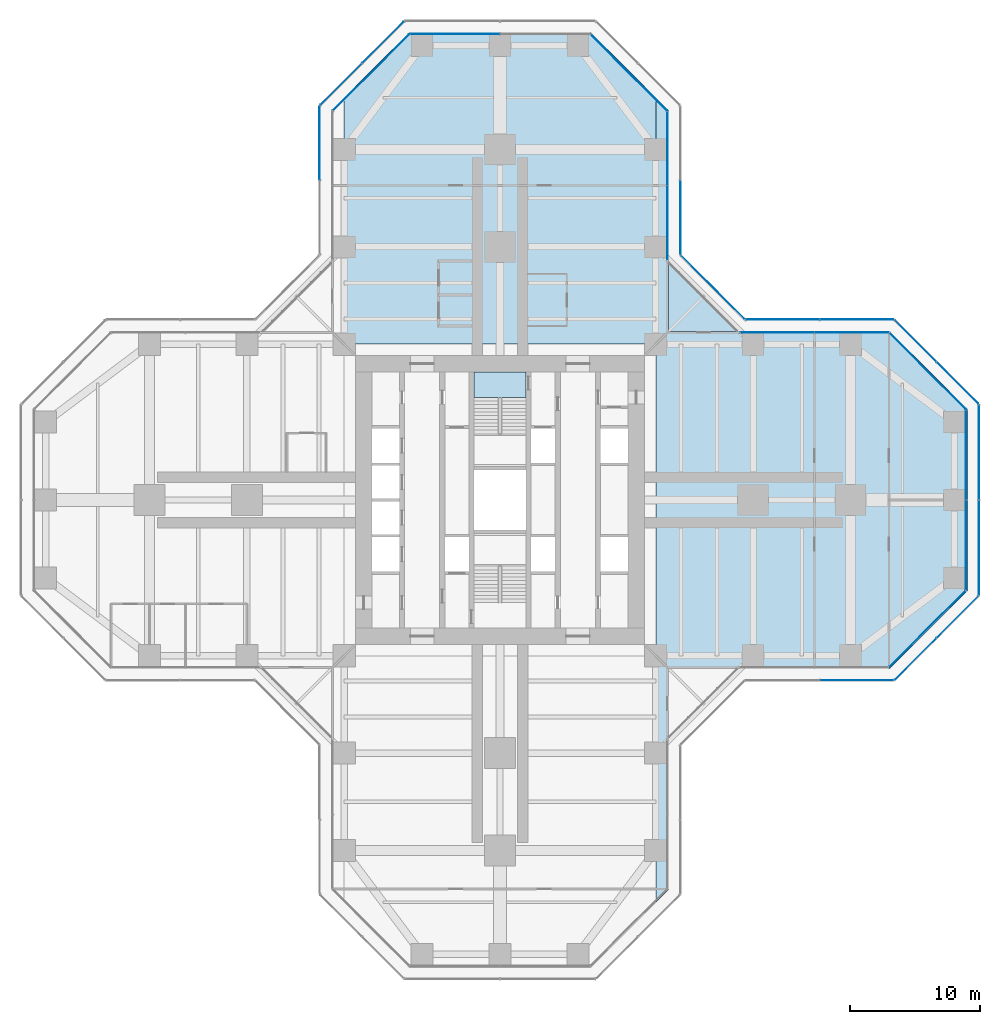
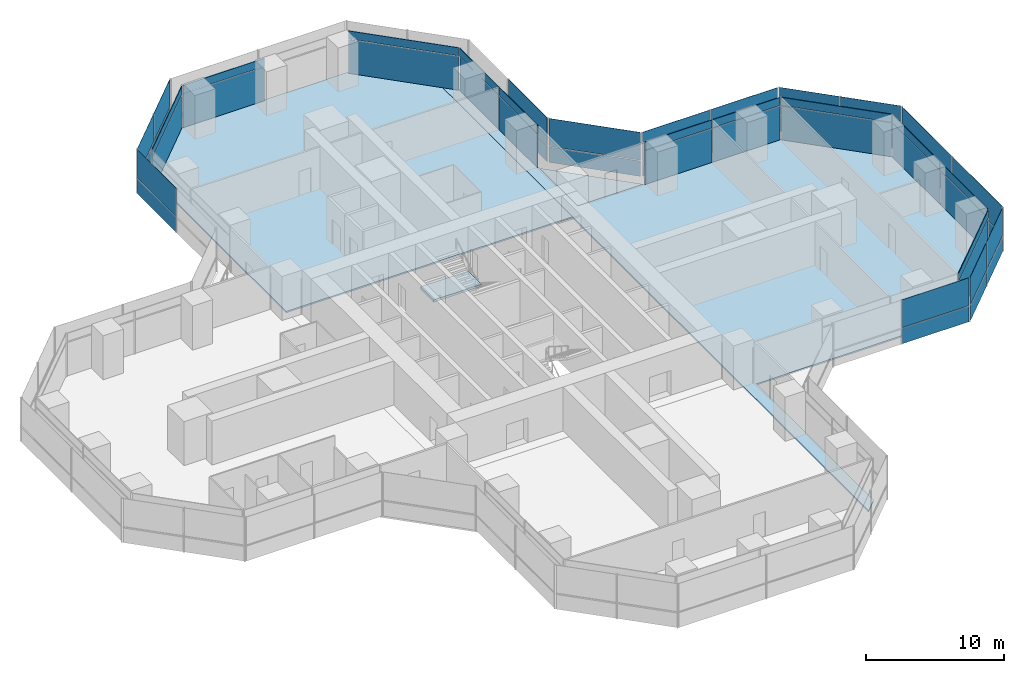
# One storey, part 16 of 22: 50 plates, 4 slabs, 18 elements without a shape of their own.
"""IFC4 building model written with IfcOpenShell, lengths in metres."""

from ifc_helpers import new_model, si_unit, direction, frame, origin, origin_2d, place, context, subcontext, project, spatial, polyline, rectangle, outline, extrude, material, layer, layer_set, type_object, element, aggregate, save


model = new_model("IFC4")

# Units and contexts
model_context = context("Model", 3, precision=1e-05, world=origin(), true_north=direction((0.0, 1.0)))
body_context = subcontext(model_context, "Body", "Model", "MODEL_VIEW")
ifc_project = project(units=[si_unit("LENGTHUNIT", "METRE"), si_unit("AREAUNIT", "SQUARE_METRE"), si_unit("VOLUMEUNIT", "CUBIC_METRE"), si_unit("PLANEANGLEUNIT", "RADIAN"), si_unit("MASSUNIT", "GRAM", prefix="KILO")], contexts=[model_context])

# Site, building, storey
site_placement = place(None, origin())
site = spatial("IfcSite", under=ifc_project, at=site_placement, CompositionType="ELEMENT")
building_placement = place(site_placement, origin())
building = spatial("IfcBuilding", under=site, at=building_placement, Name="Mizan Broadcast Tower", CompositionType="ELEMENT")
storey_placement = place(building_placement, frame((0.0, 0.0, 70.800048828125)))
storey = spatial("IfcBuildingStorey", under=building, at=storey_placement, Name="L14", CompositionType="ELEMENT", Elevation=70.800048828125)

# Slabs
ifc_material_1 = material(Name="Concrete C32/40", Category="concrete")
ifc_layer_1 = layer(ifc_material_1, 0.1298828125)
ifc_layer_set_1 = layer_set([ifc_layer_1], Name="Concrete C32/40")
slab_type_1 = type_object("IfcSlabType", Name="COMPOSITE DECK SLAB 130", PredefinedType="FLOOR", material=ifc_layer_set_1)
slab_1_placement = place(storey_placement, frame((0.0, 0.0, -0.130126953125)))
element("IfcSlab", 1, at=slab_1_placement, inside=storey, type_object=slab_type_1, Name="Floor slab L14 east arm", PredefinedType="FLOOR", context=body_context, shape_type="SweptSolid", body=[
    extrude(outline(polyline([(12.0, -31.0), (13.0, -30.0), (13.0, -13.0), (30.0, -13.0), (36.0, -7.0), (36.0, 7.0), (30.0, 13.0), (13.0, 13.0), (13.0, 30.0), (12.0, 31.0), (12.0, -31.0)])), origin(), (0.0, 0.0, 1.0), 0.130126953125),
])
slab_2_placement = place(storey_placement, frame((0.0, 0.0, -0.130126953125)))
element("IfcSlab", 2, at=slab_2_placement, inside=storey, type_object=slab_type_1, Name="Floor slab L14 north arm", PredefinedType="FLOOR", context=body_context, shape_type="SweptSolid", body=[
    extrude(outline(polyline([(-7.0, 36.0), (-12.0, 31.0), (-12.0, 12.0), (12.0, 12.0), (12.0, 31.0), (7.0, 36.0), (-7.0, 36.0)])), origin(), (0.0, 0.0, 1.0), 0.130126953125),
])

# Curtain wall, plate
ifc_material_2 = material(Name="Aluminium framed glazing", Category="aluminium")
curtain_wall_type_1 = type_object("IfcCurtainWallType", Name="INNER SKIN LOW ZONE", PredefinedType="USERDEFINED", material=ifc_material_2)
curtain_wall_1_placement = place(storey_placement, origin())
curtain_wall_1 = element("IfcCurtainWall", 3, at=curtain_wall_1_placement, inside=storey, type_object=curtain_wall_type_1, Name="Inner skin low zone L14 E chamfer", ObjectType="INNER SKIN LOW ZONE", PredefinedType="USERDEFINED")
ifc_material_3 = material(Name="Double glazing, clear low-e", Category="glass")
ifc_layer_2 = layer(ifc_material_3, 0.028076171875)
ifc_layer_set_2 = layer_set([ifc_layer_2], Name="Double glazing, clear low-e")
plate_type_1 = type_object("IfcPlateType", Name="INNER SKIN GLAZING UNIT", PredefinedType="CURTAIN_PANEL", material=ifc_layer_set_2)
plate_1_placement = place(storey_placement, frame((32.92919921875, -9.92919921875, 0.0), z_axis=(0.0, 0.0, 1.0), x_axis=(0.707106781187, 0.707106781187, 0.0)))
plate_1 = element("IfcPlate", 4, at=plate_1_placement, type_object=plate_type_1, Name="Inner skin low zone L14 E chamfer panel 1.1", PredefinedType="CURTAIN_PANEL", context=body_context, shape_type="SweptSolid", body=[
    extrude(rectangle(XDim=8.282470703125, YDim=0.028076171875, at=origin_2d()), origin(), (0.0, 0.0, 1.0), 3.0),
])

# Curtain wall, plates
curtain_wall_2_placement = place(storey_placement, origin())
curtain_wall_2 = element("IfcCurtainWall", 5, at=curtain_wall_2_placement, inside=storey, type_object=curtain_wall_type_1, Name="Inner skin low zone L14 E end", ObjectType="INNER SKIN LOW ZONE", PredefinedType="USERDEFINED")
plate_2_placement = place(storey_placement, frame((35.89990234375, -3.46435546875, 0.0), z_axis=(0.0, 0.0, 1.0), x_axis=(0.0, 1.0, 0.0)))
plate_2 = element("IfcPlate", 6, at=plate_2_placement, type_object=plate_type_1, Name="Inner skin low zone L14 E end panel 1.1", PredefinedType="CURTAIN_PANEL", context=body_context, shape_type="SweptSolid", body=[
    extrude(rectangle(XDim=6.86865234375, YDim=0.028076171875, at=origin_2d()), origin(), (0.0, 0.0, 1.0), 3.0),
])
plate_3_placement = place(storey_placement, frame((35.89990234375, 3.46435546875, 0.0), z_axis=(0.0, 0.0, 1.0), x_axis=(0.0, 1.0, 0.0)))
plate_3 = element("IfcPlate", 7, at=plate_3_placement, type_object=plate_type_1, Name="Inner skin low zone L14 E end panel 2.1", PredefinedType="CURTAIN_PANEL", context=body_context, shape_type="SweptSolid", body=[
    extrude(rectangle(XDim=6.86865234375, YDim=0.028076171875, at=origin_2d()), origin(), (0.0, 0.0, 1.0), 3.0),
])

# Curtain wall, plate
curtain_wall_3_placement = place(storey_placement, origin())
curtain_wall_3 = element("IfcCurtainWall", 8, at=curtain_wall_3_placement, inside=storey, type_object=curtain_wall_type_1, Name="Inner skin low zone L14 E chamfer", ObjectType="INNER SKIN LOW ZONE", PredefinedType="USERDEFINED")
plate_4_placement = place(storey_placement, frame((32.92919921875, 9.92919921875, 0.0), z_axis=(0.0, 0.0, 1.0), x_axis=(-0.707106781187, 0.707106781187, 0.0)))
plate_4 = element("IfcPlate", 9, at=plate_4_placement, type_object=plate_type_1, Name="Inner skin low zone L14 E chamfer panel 1.1", PredefinedType="CURTAIN_PANEL", context=body_context, shape_type="SweptSolid", body=[
    extrude(rectangle(XDim=8.282470703125, YDim=0.028076171875, at=origin_2d()), origin(), (0.0, 0.0, 1.0), 3.0),
])

# Curtain wall, plates
curtain_wall_4_placement = place(storey_placement, origin())
curtain_wall_4 = element("IfcCurtainWall", 10, at=curtain_wall_4_placement, inside=storey, type_object=curtain_wall_type_1, Name="Inner skin low zone L14 E side", ObjectType="INNER SKIN LOW ZONE", PredefinedType="USERDEFINED")
plate_5_placement = place(storey_placement, frame((27.078857421875, 12.89990234375, 0.0), z_axis=(0.0, 0.0, 1.0), x_axis=(-1.0, 0.0, 0.0)))
plate_5 = element("IfcPlate", 11, at=plate_5_placement, type_object=plate_type_1, Name="Inner skin low zone L14 E side panel 1.1", PredefinedType="CURTAIN_PANEL", context=body_context, shape_type="SweptSolid", body=[
    extrude(rectangle(XDim=5.639404296875, YDim=0.028076171875, at=origin_2d()), origin(), (0.0, 0.0, 1.0), 3.0),
])
plate_6_placement = place(storey_placement, frame((21.379638671875, 12.89990234375, 0.0), z_axis=(0.0, 0.0, 1.0), x_axis=(-1.0, 0.0, 0.0)))
plate_6 = element("IfcPlate", 12, at=plate_6_placement, type_object=plate_type_1, Name="Inner skin low zone L14 E side panel 2.1", PredefinedType="CURTAIN_PANEL", context=body_context, shape_type="SweptSolid", body=[
    extrude(rectangle(XDim=5.639404296875, YDim=0.028076171875, at=origin_2d()), origin(), (0.0, 0.0, 1.0), 3.0),
])

curtain_wall_5_placement = place(storey_placement, origin())
curtain_wall_5 = element("IfcCurtainWall", 13, at=curtain_wall_5_placement, inside=storey, type_object=curtain_wall_type_1, Name="Inner skin low zone L14 N side", ObjectType="INNER SKIN LOW ZONE", PredefinedType="USERDEFINED")
plate_7_placement = place(storey_placement, frame((12.89990234375, 21.379638671875, 0.0), z_axis=(0.0, 0.0, 1.0), x_axis=(0.0, 1.0, 0.0)))
plate_7 = element("IfcPlate", 14, at=plate_7_placement, type_object=plate_type_1, Name="Inner skin low zone L14 N side panel 1.1", PredefinedType="CURTAIN_PANEL", context=body_context, shape_type="SweptSolid", body=[
    extrude(rectangle(XDim=5.639404296875, YDim=0.028076171875, at=origin_2d()), origin(), (0.0, 0.0, 1.0), 3.0),
])
plate_8_placement = place(storey_placement, frame((12.89990234375, 27.078857421875, 0.0), z_axis=(0.0, 0.0, 1.0), x_axis=(0.0, 1.0, 0.0)))
plate_8 = element("IfcPlate", 15, at=plate_8_placement, type_object=plate_type_1, Name="Inner skin low zone L14 N side panel 2.1", PredefinedType="CURTAIN_PANEL", context=body_context, shape_type="SweptSolid", body=[
    extrude(rectangle(XDim=5.639404296875, YDim=0.028076171875, at=origin_2d()), origin(), (0.0, 0.0, 1.0), 3.0),
])

# Curtain wall, plate
curtain_wall_6_placement = place(storey_placement, origin())
curtain_wall_6 = element("IfcCurtainWall", 16, at=curtain_wall_6_placement, inside=storey, type_object=curtain_wall_type_1, Name="Inner skin low zone L14 N chamfer", ObjectType="INNER SKIN LOW ZONE", PredefinedType="USERDEFINED")
plate_9_placement = place(storey_placement, frame((9.92919921875, 32.92919921875, 0.0), z_axis=(0.0, 0.0, 1.0), x_axis=(-0.707106781187, 0.707106781187, 0.0)))
plate_9 = element("IfcPlate", 17, at=plate_9_placement, type_object=plate_type_1, Name="Inner skin low zone L14 N chamfer panel 1.1", PredefinedType="CURTAIN_PANEL", context=body_context, shape_type="SweptSolid", body=[
    extrude(rectangle(XDim=8.282470703125, YDim=0.028076171875, at=origin_2d()), origin(), (0.0, 0.0, 1.0), 3.0),
])

curtain_wall_7_placement = place(storey_placement, origin())
curtain_wall_7 = element("IfcCurtainWall", 18, at=curtain_wall_7_placement, inside=storey, type_object=curtain_wall_type_1, Name="Inner skin low zone L14 N end", ObjectType="INNER SKIN LOW ZONE", PredefinedType="USERDEFINED")
plate_10_placement = place(storey_placement, frame((-3.46435546875, 35.89990234375, 0.0), z_axis=(0.0, 0.0, 1.0), x_axis=(-1.0, 0.0, 0.0)))
plate_10 = element("IfcPlate", 19, at=plate_10_placement, type_object=plate_type_1, Name="Inner skin low zone L14 N end panel 2.1", PredefinedType="CURTAIN_PANEL", context=body_context, shape_type="SweptSolid", body=[
    extrude(rectangle(XDim=6.86865234375, YDim=0.028076171875, at=origin_2d()), origin(), (0.0, 0.0, 1.0), 3.0),
])

curtain_wall_8_placement = place(storey_placement, origin())
curtain_wall_8 = element("IfcCurtainWall", 20, at=curtain_wall_8_placement, inside=storey, type_object=curtain_wall_type_1, Name="Inner skin low zone L14 N chamfer", ObjectType="INNER SKIN LOW ZONE", PredefinedType="USERDEFINED")
plate_11_placement = place(storey_placement, frame((-9.92919921875, 32.92919921875, 0.0), z_axis=(0.0, 0.0, 1.0), x_axis=(-0.707106781187, -0.707106781187, 0.0)))
plate_11 = element("IfcPlate", 21, at=plate_11_placement, type_object=plate_type_1, Name="Inner skin low zone L14 N chamfer panel 1.1", PredefinedType="CURTAIN_PANEL", context=body_context, shape_type="SweptSolid", body=[
    extrude(rectangle(XDim=8.282470703125, YDim=0.028076171875, at=origin_2d()), origin(), (0.0, 0.0, 1.0), 3.0),
])

# Plate
ifc_material_4 = material(Name="Insulated aluminium spandrel panel, pale anodised", Category="aluminium")
ifc_layer_3 = layer(ifc_material_4, 0.050048828125)
ifc_layer_set_3 = layer_set([ifc_layer_3], Name="Insulated aluminium spandrel panel, pale anodised")
plate_type_2 = type_object("IfcPlateType", Name="INNER SKIN SPANDREL PANEL", PredefinedType="CURTAIN_PANEL", material=ifc_layer_set_3)
plate_12_placement = place(storey_placement, frame((32.92919921875, -9.92919921875, 3.06005859375), z_axis=(0.0, 0.0, 1.0), x_axis=(0.707106781187, 0.707106781187, 0.0)))
plate_12 = element("IfcPlate", 22, at=plate_12_placement, type_object=plate_type_2, Name="Inner skin low zone L14 E chamfer panel 1.2", PredefinedType="CURTAIN_PANEL", context=body_context, shape_type="SweptSolid", body=[
    extrude(rectangle(XDim=8.282470703125, YDim=0.050048828125, at=origin_2d()), origin(), (0.0, 0.0, 1.0), 0.7099609375),
])

aggregate(curtain_wall_1, [plate_1, plate_12])

plate_13_placement = place(storey_placement, frame((35.89990234375, -3.46435546875, 3.06005859375), z_axis=(0.0, 0.0, 1.0), x_axis=(0.0, 1.0, 0.0)))
plate_13 = element("IfcPlate", 23, at=plate_13_placement, type_object=plate_type_2, Name="Inner skin low zone L14 E end panel 1.2", PredefinedType="CURTAIN_PANEL", context=body_context, shape_type="SweptSolid", body=[
    extrude(rectangle(XDim=6.86865234375, YDim=0.050048828125, at=origin_2d()), origin(), (0.0, 0.0, 1.0), 0.7099609375),
])

plate_14_placement = place(storey_placement, frame((35.89990234375, 3.46435546875, 3.06005859375), z_axis=(0.0, 0.0, 1.0), x_axis=(0.0, 1.0, 0.0)))
plate_14 = element("IfcPlate", 24, at=plate_14_placement, type_object=plate_type_2, Name="Inner skin low zone L14 E end panel 2.2", PredefinedType="CURTAIN_PANEL", context=body_context, shape_type="SweptSolid", body=[
    extrude(rectangle(XDim=6.86865234375, YDim=0.050048828125, at=origin_2d()), origin(), (0.0, 0.0, 1.0), 0.7099609375),
])

aggregate(curtain_wall_2, [plate_2, plate_13, plate_3, plate_14])

plate_15_placement = place(storey_placement, frame((32.92919921875, 9.92919921875, 3.06005859375), z_axis=(0.0, 0.0, 1.0), x_axis=(-0.707106781187, 0.707106781187, 0.0)))
plate_15 = element("IfcPlate", 25, at=plate_15_placement, type_object=plate_type_2, Name="Inner skin low zone L14 E chamfer panel 1.2", PredefinedType="CURTAIN_PANEL", context=body_context, shape_type="SweptSolid", body=[
    extrude(rectangle(XDim=8.282470703125, YDim=0.050048828125, at=origin_2d()), origin(), (0.0, 0.0, 1.0), 0.7099609375),
])

aggregate(curtain_wall_3, [plate_4, plate_15])

plate_16_placement = place(storey_placement, frame((27.078857421875, 12.89990234375, 3.06005859375), z_axis=(0.0, 0.0, 1.0), x_axis=(-1.0, 0.0, 0.0)))
plate_16 = element("IfcPlate", 26, at=plate_16_placement, type_object=plate_type_2, Name="Inner skin low zone L14 E side panel 1.2", PredefinedType="CURTAIN_PANEL", context=body_context, shape_type="SweptSolid", body=[
    extrude(rectangle(XDim=5.639404296875, YDim=0.050048828125, at=origin_2d()), origin(), (0.0, 0.0, 1.0), 0.7099609375),
])

plate_17_placement = place(storey_placement, frame((21.379638671875, 12.89990234375, 3.06005859375), z_axis=(0.0, 0.0, 1.0), x_axis=(-1.0, 0.0, 0.0)))
plate_17 = element("IfcPlate", 27, at=plate_17_placement, type_object=plate_type_2, Name="Inner skin low zone L14 E side panel 2.2", PredefinedType="CURTAIN_PANEL", context=body_context, shape_type="SweptSolid", body=[
    extrude(rectangle(XDim=5.639404296875, YDim=0.050048828125, at=origin_2d()), origin(), (0.0, 0.0, 1.0), 0.7099609375),
])

aggregate(curtain_wall_4, [plate_5, plate_16, plate_6, plate_17])

plate_18_placement = place(storey_placement, frame((12.89990234375, 21.379638671875, 3.06005859375), z_axis=(0.0, 0.0, 1.0), x_axis=(0.0, 1.0, 0.0)))
plate_18 = element("IfcPlate", 28, at=plate_18_placement, type_object=plate_type_2, Name="Inner skin low zone L14 N side panel 1.2", PredefinedType="CURTAIN_PANEL", context=body_context, shape_type="SweptSolid", body=[
    extrude(rectangle(XDim=5.639404296875, YDim=0.050048828125, at=origin_2d()), origin(), (0.0, 0.0, 1.0), 0.7099609375),
])

plate_19_placement = place(storey_placement, frame((12.89990234375, 27.078857421875, 3.06005859375), z_axis=(0.0, 0.0, 1.0), x_axis=(0.0, 1.0, 0.0)))
plate_19 = element("IfcPlate", 29, at=plate_19_placement, type_object=plate_type_2, Name="Inner skin low zone L14 N side panel 2.2", PredefinedType="CURTAIN_PANEL", context=body_context, shape_type="SweptSolid", body=[
    extrude(rectangle(XDim=5.639404296875, YDim=0.050048828125, at=origin_2d()), origin(), (0.0, 0.0, 1.0), 0.7099609375),
])

aggregate(curtain_wall_5, [plate_7, plate_18, plate_8, plate_19])

plate_20_placement = place(storey_placement, frame((9.92919921875, 32.92919921875, 3.06005859375), z_axis=(0.0, 0.0, 1.0), x_axis=(-0.707106781187, 0.707106781187, 0.0)))
plate_20 = element("IfcPlate", 30, at=plate_20_placement, type_object=plate_type_2, Name="Inner skin low zone L14 N chamfer panel 1.2", PredefinedType="CURTAIN_PANEL", context=body_context, shape_type="SweptSolid", body=[
    extrude(rectangle(XDim=8.282470703125, YDim=0.050048828125, at=origin_2d()), origin(), (0.0, 0.0, 1.0), 0.7099609375),
])

aggregate(curtain_wall_6, [plate_9, plate_20])

plate_21_placement = place(storey_placement, frame((-3.46435546875, 35.89990234375, 3.06005859375), z_axis=(0.0, 0.0, 1.0), x_axis=(-1.0, 0.0, 0.0)))
plate_21 = element("IfcPlate", 31, at=plate_21_placement, type_object=plate_type_2, Name="Inner skin low zone L14 N end panel 2.2", PredefinedType="CURTAIN_PANEL", context=body_context, shape_type="SweptSolid", body=[
    extrude(rectangle(XDim=6.86865234375, YDim=0.050048828125, at=origin_2d()), origin(), (0.0, 0.0, 1.0), 0.7099609375),
])

aggregate(curtain_wall_7, [plate_10, plate_21])

plate_22_placement = place(storey_placement, frame((-9.92919921875, 32.92919921875, 3.06005859375), z_axis=(0.0, 0.0, 1.0), x_axis=(-0.707106781187, -0.707106781187, 0.0)))
plate_22 = element("IfcPlate", 32, at=plate_22_placement, type_object=plate_type_2, Name="Inner skin low zone L14 N chamfer panel 1.2", PredefinedType="CURTAIN_PANEL", context=body_context, shape_type="SweptSolid", body=[
    extrude(rectangle(XDim=8.282470703125, YDim=0.050048828125, at=origin_2d()), origin(), (0.0, 0.0, 1.0), 0.7099609375),
])

aggregate(curtain_wall_8, [plate_11, plate_22])

# Curtain wall, plates
ifc_material_5 = material(Name="Aluminium framed glazing", Category="aluminium")
curtain_wall_type_2 = type_object("IfcCurtainWallType", Name="OUTER SKIN", PredefinedType="USERDEFINED", material=ifc_material_5)
curtain_wall_9_placement = place(storey_placement, origin())
curtain_wall_9 = element("IfcCurtainWall", 33, at=curtain_wall_9_placement, inside=storey, type_object=curtain_wall_type_2, Name="Outer skin L14 E chamfer", ObjectType="OUTER SKIN", PredefinedType="USERDEFINED")
ifc_material_6 = material(Name="Laminated clear glass", Category="glass")
ifc_layer_4 = layer(ifc_material_6, 0.02001953125)
ifc_layer_set_4 = layer_set([ifc_layer_4], Name="Laminated clear glass")
plate_type_3 = type_object("IfcPlateType", Name="OUTER SKIN CLEAR GLASS", PredefinedType="CURTAIN_PANEL", material=ifc_layer_set_4)
plate_23_placement = place(storey_placement, frame((32.018798828125, -12.254150390625, 0.0), z_axis=(0.0, 0.0, 1.0), x_axis=(0.707106781187, 0.707106781187, 0.0)))
plate_23 = element("IfcPlate", 34, at=plate_23_placement, type_object=plate_type_3, Name="Outer skin L14 E chamfer panel 1.1", PredefinedType="CURTAIN_PANEL", context=body_context, shape_type="SweptSolid", body=[
    extrude(rectangle(XDim=4.495361328125, YDim=0.02001953125, at=origin_2d()), origin(), (0.0, 0.0, 1.0), 1.3701171875),
])
plate_24_placement = place(storey_placement, frame((32.018798828125, -12.254150390625, 1.43017578125), z_axis=(0.0, 0.0, 1.0), x_axis=(0.707106781187, 0.707106781187, 0.0)))
plate_24 = element("IfcPlate", 35, at=plate_24_placement, type_object=plate_type_3, Name="Outer skin L14 E chamfer panel 1.2", PredefinedType="CURTAIN_PANEL", context=body_context, shape_type="SweptSolid", body=[
    extrude(rectangle(XDim=4.495361328125, YDim=0.02001953125, at=origin_2d()), origin(), (0.0, 0.0, 1.0), 2.469970703125),
])

curtain_wall_10_placement = place(storey_placement, origin())
curtain_wall_10 = element("IfcCurtainWall", 36, at=curtain_wall_10_placement, inside=storey, type_object=curtain_wall_type_2, Name="Outer skin L14 E end", ObjectType="OUTER SKIN", PredefinedType="USERDEFINED")
plate_25_placement = place(storey_placement, frame((36.89990234375, -3.66650390625, 0.0), z_axis=(0.0, 0.0, 1.0), x_axis=(0.0, 1.0, 0.0)))
plate_25 = element("IfcPlate", 37, at=plate_25_placement, type_object=plate_type_3, Name="Outer skin L14 E end panel 1.1", PredefinedType="CURTAIN_PANEL", context=body_context, shape_type="SweptSolid", body=[
    extrude(rectangle(XDim=7.252685546875, YDim=0.02001953125, at=origin_2d()), origin(), (0.0, 0.0, 1.0), 1.3701171875),
])
plate_26_placement = place(storey_placement, frame((36.89990234375, -3.66650390625, 1.43017578125), z_axis=(0.0, 0.0, 1.0), x_axis=(0.0, 1.0, 0.0)))
plate_26 = element("IfcPlate", 38, at=plate_26_placement, type_object=plate_type_3, Name="Outer skin L14 E end panel 1.2", PredefinedType="CURTAIN_PANEL", context=body_context, shape_type="SweptSolid", body=[
    extrude(rectangle(XDim=7.252685546875, YDim=0.02001953125, at=origin_2d()), origin(), (0.0, 0.0, 1.0), 2.469970703125),
])

curtain_wall_11_placement = place(storey_placement, origin())
curtain_wall_11 = element("IfcCurtainWall", 39, at=curtain_wall_11_placement, inside=storey, type_object=curtain_wall_type_2, Name="Outer skin L14 E chamfer", ObjectType="OUTER SKIN", PredefinedType="USERDEFINED")
plate_27_placement = place(storey_placement, frame((35.254150390625, 9.018798828125, 0.0), z_axis=(0.0, 0.0, 1.0), x_axis=(-0.707106781187, 0.707106781187, 0.0)))
plate_27 = element("IfcPlate", 40, at=plate_27_placement, type_object=plate_type_3, Name="Outer skin L14 E chamfer panel 1.1", PredefinedType="CURTAIN_PANEL", context=body_context, shape_type="SweptSolid", body=[
    extrude(rectangle(XDim=4.495361328125, YDim=0.02001953125, at=origin_2d()), origin(), (0.0, 0.0, 1.0), 1.3701171875),
])
plate_28_placement = place(storey_placement, frame((35.254150390625, 9.018798828125, 1.43017578125), z_axis=(0.0, 0.0, 1.0), x_axis=(-0.707106781187, 0.707106781187, 0.0)))
plate_28 = element("IfcPlate", 41, at=plate_28_placement, type_object=plate_type_3, Name="Outer skin L14 E chamfer panel 1.2", PredefinedType="CURTAIN_PANEL", context=body_context, shape_type="SweptSolid", body=[
    extrude(rectangle(XDim=4.495361328125, YDim=0.02001953125, at=origin_2d()), origin(), (0.0, 0.0, 1.0), 2.469970703125),
])

curtain_wall_12_placement = place(storey_placement, origin())
curtain_wall_12 = element("IfcCurtainWall", 42, at=curtain_wall_12_placement, inside=storey, type_object=curtain_wall_type_2, Name="Outer skin L14 E side", ObjectType="OUTER SKIN", PredefinedType="USERDEFINED")
plate_29_placement = place(storey_placement, frame((27.477783203125, 13.89990234375, 0.0), z_axis=(0.0, 0.0, 1.0), x_axis=(-1.0, 0.0, 0.0)))
plate_29 = element("IfcPlate", 43, at=plate_29_placement, type_object=plate_type_3, Name="Outer skin L14 E side panel 1.1", PredefinedType="CURTAIN_PANEL", context=body_context, shape_type="SweptSolid", body=[
    extrude(rectangle(XDim=5.6298828125, YDim=0.02001953125, at=origin_2d()), origin(), (0.0, 0.0, 1.0), 1.3701171875),
])
plate_30_placement = place(storey_placement, frame((27.477783203125, 13.89990234375, 1.43017578125), z_axis=(0.0, 0.0, 1.0), x_axis=(-1.0, 0.0, 0.0)))
plate_30 = element("IfcPlate", 44, at=plate_30_placement, type_object=plate_type_3, Name="Outer skin L14 E side panel 1.2", PredefinedType="CURTAIN_PANEL", context=body_context, shape_type="SweptSolid", body=[
    extrude(rectangle(XDim=5.6298828125, YDim=0.02001953125, at=origin_2d()), origin(), (0.0, 0.0, 1.0), 2.469970703125),
])
plate_31_placement = place(storey_placement, frame((21.767822265625, 13.89990234375, 0.0), z_axis=(0.0, 0.0, 1.0), x_axis=(-1.0, 0.0, 0.0)))
plate_31 = element("IfcPlate", 45, at=plate_31_placement, type_object=plate_type_3, Name="Outer skin L14 E side panel 2.1", PredefinedType="CURTAIN_PANEL", context=body_context, shape_type="SweptSolid", body=[
    extrude(rectangle(XDim=5.6298828125, YDim=0.02001953125, at=origin_2d()), origin(), (0.0, 0.0, 1.0), 1.3701171875),
])
plate_32_placement = place(storey_placement, frame((21.767822265625, 13.89990234375, 1.43017578125), z_axis=(0.0, 0.0, 1.0), x_axis=(-1.0, 0.0, 0.0)))
plate_32 = element("IfcPlate", 46, at=plate_32_placement, type_object=plate_type_3, Name="Outer skin L14 E side panel 2.2", PredefinedType="CURTAIN_PANEL", context=body_context, shape_type="SweptSolid", body=[
    extrude(rectangle(XDim=5.6298828125, YDim=0.02001953125, at=origin_2d()), origin(), (0.0, 0.0, 1.0), 2.469970703125),
])
aggregate(curtain_wall_12, [plate_29, plate_30, plate_31, plate_32])

curtain_wall_13_placement = place(storey_placement, origin())
curtain_wall_13 = element("IfcCurtainWall", 47, at=curtain_wall_13_placement, inside=storey, type_object=curtain_wall_type_2, Name="Outer skin L14 E chamfer", ObjectType="OUTER SKIN", PredefinedType="USERDEFINED")
plate_33_placement = place(storey_placement, frame((16.386474609375, 16.386474609375, 0.0), z_axis=(0.0, 0.0, 1.0), x_axis=(-0.707106781187, 0.707106781187, 0.0)))
plate_33 = element("IfcPlate", 48, at=plate_33_placement, type_object=plate_type_3, Name="Outer skin L14 E chamfer panel 1.1", PredefinedType="CURTAIN_PANEL", context=body_context, shape_type="SweptSolid", body=[
    extrude(rectangle(XDim=6.87255859375, YDim=0.02001953125, at=origin_2d()), origin(), (0.0, 0.0, 1.0), 1.3701171875),
])
plate_34_placement = place(storey_placement, frame((16.386474609375, 16.386474609375, 1.43017578125), z_axis=(0.0, 0.0, 1.0), x_axis=(-0.707106781187, 0.707106781187, 0.0)))
plate_34 = element("IfcPlate", 49, at=plate_34_placement, type_object=plate_type_3, Name="Outer skin L14 E chamfer panel 1.2", PredefinedType="CURTAIN_PANEL", context=body_context, shape_type="SweptSolid", body=[
    extrude(rectangle(XDim=6.87255859375, YDim=0.02001953125, at=origin_2d()), origin(), (0.0, 0.0, 1.0), 2.469970703125),
])
aggregate(curtain_wall_13, [plate_33, plate_34])

curtain_wall_14_placement = place(storey_placement, origin())
curtain_wall_14 = element("IfcCurtainWall", 50, at=curtain_wall_14_placement, inside=storey, type_object=curtain_wall_type_2, Name="Outer skin L14 N side", ObjectType="OUTER SKIN", PredefinedType="USERDEFINED")
plate_35_placement = place(storey_placement, frame((13.89990234375, 21.767822265625, 0.0), z_axis=(0.0, 0.0, 1.0), x_axis=(0.0, 1.0, 0.0)))
plate_35 = element("IfcPlate", 51, at=plate_35_placement, type_object=plate_type_3, Name="Outer skin L14 N side panel 1.1", PredefinedType="CURTAIN_PANEL", context=body_context, shape_type="SweptSolid", body=[
    extrude(rectangle(XDim=5.6298828125, YDim=0.02001953125, at=origin_2d()), origin(), (0.0, 0.0, 1.0), 1.3701171875),
])
plate_36_placement = place(storey_placement, frame((13.89990234375, 21.767822265625, 1.43017578125), z_axis=(0.0, 0.0, 1.0), x_axis=(0.0, 1.0, 0.0)))
plate_36 = element("IfcPlate", 52, at=plate_36_placement, type_object=plate_type_3, Name="Outer skin L14 N side panel 1.2", PredefinedType="CURTAIN_PANEL", context=body_context, shape_type="SweptSolid", body=[
    extrude(rectangle(XDim=5.6298828125, YDim=0.02001953125, at=origin_2d()), origin(), (0.0, 0.0, 1.0), 2.469970703125),
])
aggregate(curtain_wall_14, [plate_35, plate_36])

curtain_wall_15_placement = place(storey_placement, origin())
curtain_wall_15 = element("IfcCurtainWall", 53, at=curtain_wall_15_placement, inside=storey, type_object=curtain_wall_type_2, Name="Outer skin L14 N chamfer", ObjectType="OUTER SKIN", PredefinedType="USERDEFINED")
plate_37_placement = place(storey_placement, frame((-9.018798828125, 35.254150390625, 0.0), z_axis=(0.0, 0.0, 1.0), x_axis=(-0.707106781187, -0.707106781187, 0.0)))
plate_37 = element("IfcPlate", 54, at=plate_37_placement, type_object=plate_type_3, Name="Outer skin L14 N chamfer panel 1.1", PredefinedType="CURTAIN_PANEL", context=body_context, shape_type="SweptSolid", body=[
    extrude(rectangle(XDim=4.495361328125, YDim=0.02001953125, at=origin_2d()), origin(), (0.0, 0.0, 1.0), 1.3701171875),
])
plate_38_placement = place(storey_placement, frame((-9.018798828125, 35.254150390625, 1.43017578125), z_axis=(0.0, 0.0, 1.0), x_axis=(-0.707106781187, -0.707106781187, 0.0)))
plate_38 = element("IfcPlate", 55, at=plate_38_placement, type_object=plate_type_3, Name="Outer skin L14 N chamfer panel 1.2", PredefinedType="CURTAIN_PANEL", context=body_context, shape_type="SweptSolid", body=[
    extrude(rectangle(XDim=4.495361328125, YDim=0.02001953125, at=origin_2d()), origin(), (0.0, 0.0, 1.0), 2.469970703125),
])

curtain_wall_16_placement = place(storey_placement, origin())
curtain_wall_16 = element("IfcCurtainWall", 56, at=curtain_wall_16_placement, inside=storey, type_object=curtain_wall_type_2, Name="Outer skin L14 N side", ObjectType="OUTER SKIN", PredefinedType="USERDEFINED")
plate_39_placement = place(storey_placement, frame((-13.89990234375, 27.477783203125, 0.0), z_axis=(0.0, 0.0, 1.0), x_axis=(0.0, -1.0, 0.0)))
plate_39 = element("IfcPlate", 57, at=plate_39_placement, type_object=plate_type_3, Name="Outer skin L14 N side panel 1.1", PredefinedType="CURTAIN_PANEL", context=body_context, shape_type="SweptSolid", body=[
    extrude(rectangle(XDim=5.6298828125, YDim=0.02001953125, at=origin_2d()), origin(), (0.0, 0.0, 1.0), 1.3701171875),
])
plate_40_placement = place(storey_placement, frame((-13.89990234375, 27.477783203125, 1.43017578125), z_axis=(0.0, 0.0, 1.0), x_axis=(0.0, -1.0, 0.0)))
plate_40 = element("IfcPlate", 58, at=plate_40_placement, type_object=plate_type_3, Name="Outer skin L14 N side panel 1.2", PredefinedType="CURTAIN_PANEL", context=body_context, shape_type="SweptSolid", body=[
    extrude(rectangle(XDim=5.6298828125, YDim=0.02001953125, at=origin_2d()), origin(), (0.0, 0.0, 1.0), 2.469970703125),
])
aggregate(curtain_wall_16, [plate_39, plate_40])

# Plate
ifc_material_7 = material(Name="Perforated aluminium, pale anodised", Category="aluminium")
ifc_layer_5 = layer(ifc_material_7, 0.011962890625)
ifc_layer_set_5 = layer_set([ifc_layer_5], Name="Perforated aluminium, pale anodised")
plate_type_4 = type_object("IfcPlateType", Name="OUTER SKIN PERFORATED SCREEN", PredefinedType="USERDEFINED", material=ifc_layer_set_5)
plate_41_placement = place(storey_placement, frame((35.254150390625, -9.018798828125, 0.0), z_axis=(0.0, 0.0, 1.0), x_axis=(0.707106781187, 0.707106781187, 0.0)))
plate_41 = element("IfcPlate", 59, at=plate_41_placement, type_object=plate_type_4, Name="Outer skin L14 E chamfer panel 2.1", ObjectType="SCREEN", PredefinedType="USERDEFINED", context=body_context, shape_type="SweptSolid", body=[
    extrude(rectangle(XDim=4.495361328125, YDim=0.011962890625, at=origin_2d()), origin(), (0.0, 0.0, 1.0), 1.3701171875),
])

plate_42_placement = place(storey_placement, frame((35.254150390625, -9.018798828125, 1.43017578125), z_axis=(0.0, 0.0, 1.0), x_axis=(0.707106781187, 0.707106781187, 0.0)))
plate_42 = element("IfcPlate", 60, at=plate_42_placement, type_object=plate_type_4, Name="Outer skin L14 E chamfer panel 2.2", ObjectType="SCREEN", PredefinedType="USERDEFINED", context=body_context, shape_type="SweptSolid", body=[
    extrude(rectangle(XDim=4.495361328125, YDim=0.011962890625, at=origin_2d()), origin(), (0.0, 0.0, 1.0), 2.469970703125),
])

aggregate(curtain_wall_9, [plate_23, plate_24, plate_41, plate_42])

plate_43_placement = place(storey_placement, frame((36.89990234375, 3.66650390625, 0.0), z_axis=(0.0, 0.0, 1.0), x_axis=(0.0, 1.0, 0.0)))
plate_43 = element("IfcPlate", 61, at=plate_43_placement, type_object=plate_type_4, Name="Outer skin L14 E end panel 2.1", ObjectType="SCREEN", PredefinedType="USERDEFINED", context=body_context, shape_type="SweptSolid", body=[
    extrude(rectangle(XDim=7.252685546875, YDim=0.011962890625, at=origin_2d()), origin(), (0.0, 0.0, 1.0), 1.3701171875),
])

plate_44_placement = place(storey_placement, frame((36.89990234375, 3.66650390625, 1.43017578125), z_axis=(0.0, 0.0, 1.0), x_axis=(0.0, 1.0, 0.0)))
plate_44 = element("IfcPlate", 62, at=plate_44_placement, type_object=plate_type_4, Name="Outer skin L14 E end panel 2.2", ObjectType="SCREEN", PredefinedType="USERDEFINED", context=body_context, shape_type="SweptSolid", body=[
    extrude(rectangle(XDim=7.252685546875, YDim=0.011962890625, at=origin_2d()), origin(), (0.0, 0.0, 1.0), 2.469970703125),
])

aggregate(curtain_wall_10, [plate_25, plate_26, plate_43, plate_44])

plate_45_placement = place(storey_placement, frame((32.018798828125, 12.254150390625, 0.0), z_axis=(0.0, 0.0, 1.0), x_axis=(-0.707106781187, 0.707106781187, 0.0)))
plate_45 = element("IfcPlate", 63, at=plate_45_placement, type_object=plate_type_4, Name="Outer skin L14 E chamfer panel 2.1", ObjectType="SCREEN", PredefinedType="USERDEFINED", context=body_context, shape_type="SweptSolid", body=[
    extrude(rectangle(XDim=4.495361328125, YDim=0.011962890625, at=origin_2d()), origin(), (0.0, 0.0, 1.0), 1.3701171875),
])

plate_46_placement = place(storey_placement, frame((32.018798828125, 12.254150390625, 1.43017578125), z_axis=(0.0, 0.0, 1.0), x_axis=(-0.707106781187, 0.707106781187, 0.0)))
plate_46 = element("IfcPlate", 64, at=plate_46_placement, type_object=plate_type_4, Name="Outer skin L14 E chamfer panel 2.2", ObjectType="SCREEN", PredefinedType="USERDEFINED", context=body_context, shape_type="SweptSolid", body=[
    extrude(rectangle(XDim=4.495361328125, YDim=0.011962890625, at=origin_2d()), origin(), (0.0, 0.0, 1.0), 2.469970703125),
])

aggregate(curtain_wall_11, [plate_27, plate_28, plate_45, plate_46])

plate_47_placement = place(storey_placement, frame((-12.254150390625, 32.018798828125, 0.0), z_axis=(0.0, 0.0, 1.0), x_axis=(-0.707106781187, -0.707106781187, 0.0)))
plate_47 = element("IfcPlate", 65, at=plate_47_placement, type_object=plate_type_4, Name="Outer skin L14 N chamfer panel 2.1", ObjectType="SCREEN", PredefinedType="USERDEFINED", context=body_context, shape_type="SweptSolid", body=[
    extrude(rectangle(XDim=4.495361328125, YDim=0.011962890625, at=origin_2d()), origin(), (0.0, 0.0, 1.0), 1.3701171875),
])

plate_48_placement = place(storey_placement, frame((-12.254150390625, 32.018798828125, 1.43017578125), z_axis=(0.0, 0.0, 1.0), x_axis=(-0.707106781187, -0.707106781187, 0.0)))
plate_48 = element("IfcPlate", 66, at=plate_48_placement, type_object=plate_type_4, Name="Outer skin L14 N chamfer panel 2.2", ObjectType="SCREEN", PredefinedType="USERDEFINED", context=body_context, shape_type="SweptSolid", body=[
    extrude(rectangle(XDim=4.495361328125, YDim=0.011962890625, at=origin_2d()), origin(), (0.0, 0.0, 1.0), 2.469970703125),
])

aggregate(curtain_wall_15, [plate_37, plate_38, plate_47, plate_48])

# Curtain wall, plates
curtain_wall_17_placement = place(storey_placement, origin())
curtain_wall_17 = element("IfcCurtainWall", 67, at=curtain_wall_17_placement, inside=storey, type_object=curtain_wall_type_2, Name="Outer skin L14 E side", ObjectType="OUTER SKIN", PredefinedType="USERDEFINED")
plate_49_placement = place(storey_placement, frame((27.477783203125, -13.89990234375, 0.0), z_axis=(0.0, 0.0, 1.0), x_axis=(1.0, 0.0, 0.0)))
plate_49 = element("IfcPlate", 68, at=plate_49_placement, type_object=plate_type_4, Name="Outer skin L14 E side panel 2.1", ObjectType="SCREEN", PredefinedType="USERDEFINED", context=body_context, shape_type="SweptSolid", body=[
    extrude(rectangle(XDim=5.6298828125, YDim=0.011962890625, at=origin_2d()), origin(), (0.0, 0.0, 1.0), 1.3701171875),
])
plate_50_placement = place(storey_placement, frame((27.477783203125, -13.89990234375, 1.43017578125), z_axis=(0.0, 0.0, 1.0), x_axis=(1.0, 0.0, 0.0)))
plate_50 = element("IfcPlate", 69, at=plate_50_placement, type_object=plate_type_4, Name="Outer skin L14 E side panel 2.2", ObjectType="SCREEN", PredefinedType="USERDEFINED", context=body_context, shape_type="SweptSolid", body=[
    extrude(rectangle(XDim=5.6298828125, YDim=0.011962890625, at=origin_2d()), origin(), (0.0, 0.0, 1.0), 2.469970703125),
])
aggregate(curtain_wall_17, [plate_49, plate_50])

# Stair, slab
ifc_material_8 = material(Name="Concrete C40/50", Category="concrete")
stair_type = type_object("IfcStairType", Name="EXIT STAIR", PredefinedType="HALF_TURN_STAIR", material=ifc_material_8)
stair_placement = place(storey_placement, origin())
stair = element("IfcStair", 70, at=stair_placement, inside=storey, type_object=stair_type, Name="Stair B L14", PredefinedType="HALF_TURN_STAIR")
ifc_material_9 = material(Name="Concrete C40/50", Category="concrete")
ifc_layer_6 = layer(ifc_material_9, 0.199951171875)
ifc_layer_set_6 = layer_set([ifc_layer_6], Name="Concrete C40/50")
slab_type_2 = type_object("IfcSlabType", Name="STAIR LANDING 200", PredefinedType="LANDING", material=ifc_layer_set_6)
slab_3_placement = place(storey_placement, frame((0.0, 0.0, -0.199951171875)))
slab_3 = element("IfcSlab", 71, at=slab_3_placement, type_object=slab_type_2, Name="B landing 1", PredefinedType="LANDING", context=body_context, shape_type="SweptSolid", body=[
    extrude(outline(polyline([(2.0, 9.85009765625), (2.0, 7.89990234375), (-2.0, 7.89990234375), (-2.0, 9.85009765625), (2.0, 9.85009765625)])), origin(), (0.0, 0.0, 1.0), 0.199951171875),
])
aggregate(stair, [slab_3])

# Slab
ifc_material_10 = material(Name="Concrete C32/40", Category="concrete")
ifc_layer_7 = layer(ifc_material_10, 0.1298828125)
ifc_layer_set_7 = layer_set([ifc_layer_7], Name="Concrete C32/40")
slab_type_3 = type_object("IfcSlabType", Name="WINTER GARDEN SLAB 130", PredefinedType="FLOOR", material=ifc_layer_set_7)
slab_4_placement = place(storey_placement, frame((0.0, 0.0, -0.130126953125)))
element("IfcSlab", 72, at=slab_4_placement, inside=storey, type_object=slab_type_3, Name="Winter garden slab L14 E", PredefinedType="FLOOR", context=body_context, shape_type="SweptSolid", body=[
    extrude(outline(polyline([(13.0, 13.0), (18.5, 13.0), (13.0, 18.5), (13.0, 13.0)])), origin(), (0.0, 0.0, 1.0), 0.130126953125),
])

save(model, "model.ifc")
